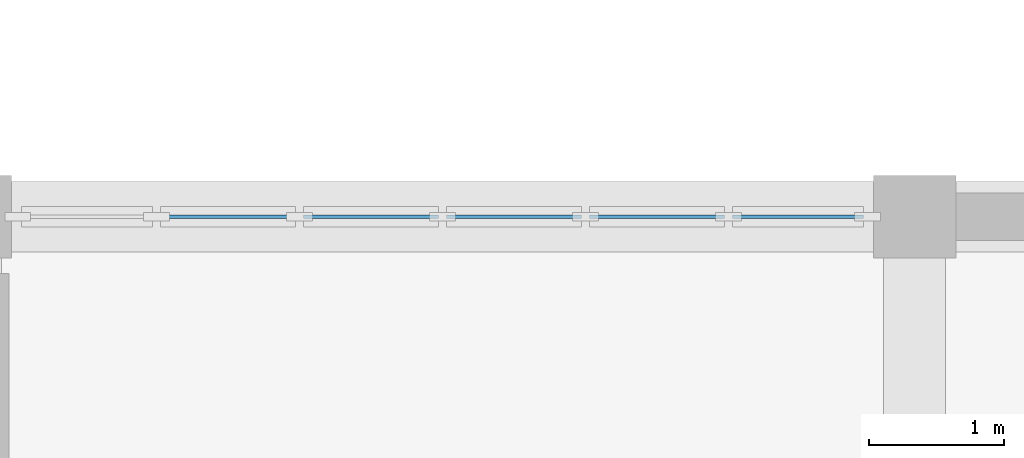
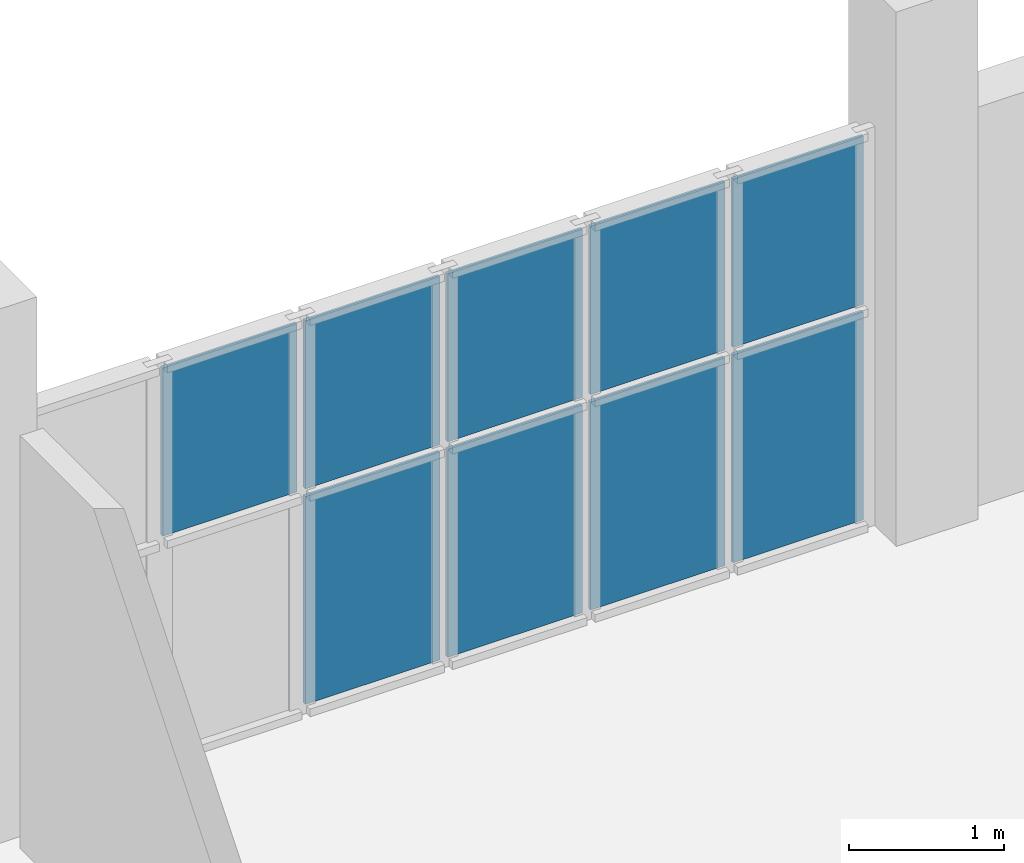
# One storey, part 60 of 85: 9 plates, 1 element without a shape of its own.
"""IFC4 building model written with IfcOpenShell, lengths in metres."""

from ifc_helpers import new_model, si_unit, direction, frame, origin, origin_2d, place, context, subcontext, project, spatial, rectangle, extrude, material, layer, layer_set, type_object, element, aggregate, save


model = new_model("IFC4")

# Units and contexts
model_context = context("Model", 3, precision=1e-05, world=origin(), true_north=direction((0.0, 1.0)))
body_context = subcontext(model_context, "Body", "Model", "MODEL_VIEW")
ifc_project = project(units=[si_unit("LENGTHUNIT", "METRE"), si_unit("AREAUNIT", "SQUARE_METRE"), si_unit("VOLUMEUNIT", "CUBIC_METRE"), si_unit("PLANEANGLEUNIT", "RADIAN"), si_unit("MASSUNIT", "GRAM", prefix="KILO")], contexts=[model_context])

# Site, building, storey
site_placement = place(None, origin())
site = spatial("IfcSite", under=ifc_project, at=site_placement, CompositionType="ELEMENT")
building_placement = place(site_placement, origin())
building = spatial("IfcBuilding", under=site, at=building_placement, Name="Solvane Community Centre", CompositionType="ELEMENT")
storey_placement = place(building_placement, frame((0.0, 0.0, 5.39990234375)))
storey = spatial("IfcBuildingStorey", under=building, at=storey_placement, Name="L01", CompositionType="ELEMENT", Elevation=5.39990234375)

# Curtain wall, plates
ifc_material_1 = material(Name="Anodised bronze aluminium AW-6063 T6", Category="aluminium")
ifc_layer_1 = layer(ifc_material_1, 0.18994140625)
ifc_layer_set_1 = layer_set([ifc_layer_1], Name="Anodised bronze aluminium AW-6063 T6")
curtain_wall_type = type_object("IfcCurtainWallType", Name="Boulevard Bronze Vision Curtain Wall [64x31dm]", PredefinedType="NOTDEFINED", material=ifc_layer_set_1)
curtain_wall_placement = place(storey_placement, origin())
curtain_wall = element("IfcCurtainWall", 1, at=curtain_wall_placement, inside=storey, type_object=curtain_wall_type, Name="Curtain Wall CW-L01-1473_540-120", PredefinedType="NOTDEFINED")
ifc_material_2 = material(Name="Tempered low-E double glazing", Category="glass")
ifc_layer_2 = layer(ifc_material_2, 0.028076171875)
ifc_layer_set_2 = layer_set([ifc_layer_2], Name="Tempered low-E double glazing")
plate_type = type_object("IfcPlateType", Name="Low-E Vision Glazing Panel 28mm [64x31dm]", PredefinedType="CURTAIN_PANEL", material=ifc_layer_set_2)
plate_1_placement = place(storey_placement, frame((148.909912109375, 54.0, 1.75390625), z_axis=(0.0, 0.0, 1.0), x_axis=(1.0, 0.0, 0.0)))
plate_1 = element("IfcPlate", 2, at=plate_1_placement, type_object=plate_type, Name="CW02-64x31 panel 2.2", PredefinedType="CURTAIN_PANEL", context=body_context, shape_type="SweptSolid", body=[
    extrude(rectangle(XDim=1.0, YDim=0.028076171875, at=origin_2d()), origin(), (0.0, 0.0, 1.0), 1.321044921875),
])
plate_2_placement = place(storey_placement, frame((149.969970703125, 54.0, 0.06005859375), z_axis=(0.0, 0.0, 1.0), x_axis=(1.0, 0.0, 0.0)))
plate_2 = element("IfcPlate", 3, at=plate_2_placement, type_object=plate_type, Name="CW02-64x31 panel 3.1", PredefinedType="CURTAIN_PANEL", context=body_context, shape_type="SweptSolid", body=[
    extrude(rectangle(XDim=1.0, YDim=0.028076171875, at=origin_2d()), origin(), (0.0, 0.0, 1.0), 1.634033203125),
])
plate_3_placement = place(storey_placement, frame((149.969970703125, 54.0, 1.75390625), z_axis=(0.0, 0.0, 1.0), x_axis=(1.0, 0.0, 0.0)))
plate_3 = element("IfcPlate", 4, at=plate_3_placement, type_object=plate_type, Name="CW02-64x31 panel 3.2", PredefinedType="CURTAIN_PANEL", context=body_context, shape_type="SweptSolid", body=[
    extrude(rectangle(XDim=1.0, YDim=0.028076171875, at=origin_2d()), origin(), (0.0, 0.0, 1.0), 1.321044921875),
])
plate_4_placement = place(storey_placement, frame((151.030029296875, 54.0, 0.06005859375), z_axis=(0.0, 0.0, 1.0), x_axis=(1.0, 0.0, 0.0)))
plate_4 = element("IfcPlate", 5, at=plate_4_placement, type_object=plate_type, Name="CW02-64x31 panel 4.1", PredefinedType="CURTAIN_PANEL", context=body_context, shape_type="SweptSolid", body=[
    extrude(rectangle(XDim=1.0, YDim=0.028076171875, at=origin_2d()), origin(), (0.0, 0.0, 1.0), 1.634033203125),
])
plate_5_placement = place(storey_placement, frame((151.030029296875, 54.0, 1.75390625), z_axis=(0.0, 0.0, 1.0), x_axis=(1.0, 0.0, 0.0)))
plate_5 = element("IfcPlate", 6, at=plate_5_placement, type_object=plate_type, Name="CW02-64x31 panel 4.2", PredefinedType="CURTAIN_PANEL", context=body_context, shape_type="SweptSolid", body=[
    extrude(rectangle(XDim=1.0, YDim=0.028076171875, at=origin_2d()), origin(), (0.0, 0.0, 1.0), 1.321044921875),
])
plate_6_placement = place(storey_placement, frame((152.090087890625, 54.0, 0.06005859375), z_axis=(0.0, 0.0, 1.0), x_axis=(1.0, 0.0, 0.0)))
plate_6 = element("IfcPlate", 7, at=plate_6_placement, type_object=plate_type, Name="CW02-64x31 panel 5.1", PredefinedType="CURTAIN_PANEL", context=body_context, shape_type="SweptSolid", body=[
    extrude(rectangle(XDim=1.0, YDim=0.028076171875, at=origin_2d()), origin(), (0.0, 0.0, 1.0), 1.634033203125),
])
plate_7_placement = place(storey_placement, frame((152.090087890625, 54.0, 1.75390625), z_axis=(0.0, 0.0, 1.0), x_axis=(1.0, 0.0, 0.0)))
plate_7 = element("IfcPlate", 8, at=plate_7_placement, type_object=plate_type, Name="CW02-64x31 panel 5.2", PredefinedType="CURTAIN_PANEL", context=body_context, shape_type="SweptSolid", body=[
    extrude(rectangle(XDim=1.0, YDim=0.028076171875, at=origin_2d()), origin(), (0.0, 0.0, 1.0), 1.321044921875),
])
plate_8_placement = place(storey_placement, frame((153.135009765625, 54.0, 0.06005859375), z_axis=(0.0, 0.0, 1.0), x_axis=(1.0, 0.0, 0.0)))
plate_8 = element("IfcPlate", 9, at=plate_8_placement, type_object=plate_type, Name="CW02-64x31 panel 6.1", PredefinedType="CURTAIN_PANEL", context=body_context, shape_type="SweptSolid", body=[
    extrude(rectangle(XDim=0.969970703125, YDim=0.028076171875, at=origin_2d()), origin(), (0.0, 0.0, 1.0), 1.634033203125),
])
plate_9_placement = place(storey_placement, frame((153.135009765625, 54.0, 1.75390625), z_axis=(0.0, 0.0, 1.0), x_axis=(1.0, 0.0, 0.0)))
plate_9 = element("IfcPlate", 10, at=plate_9_placement, type_object=plate_type, Name="CW02-64x31 panel 6.2", PredefinedType="CURTAIN_PANEL", context=body_context, shape_type="SweptSolid", body=[
    extrude(rectangle(XDim=0.969970703125, YDim=0.028076171875, at=origin_2d()), origin(), (0.0, 0.0, 1.0), 1.321044921875),
])
aggregate(curtain_wall, [plate_1, plate_2, plate_3, plate_4, plate_5, plate_6, plate_7, plate_8, plate_9])

save(model, "model.ifc")
